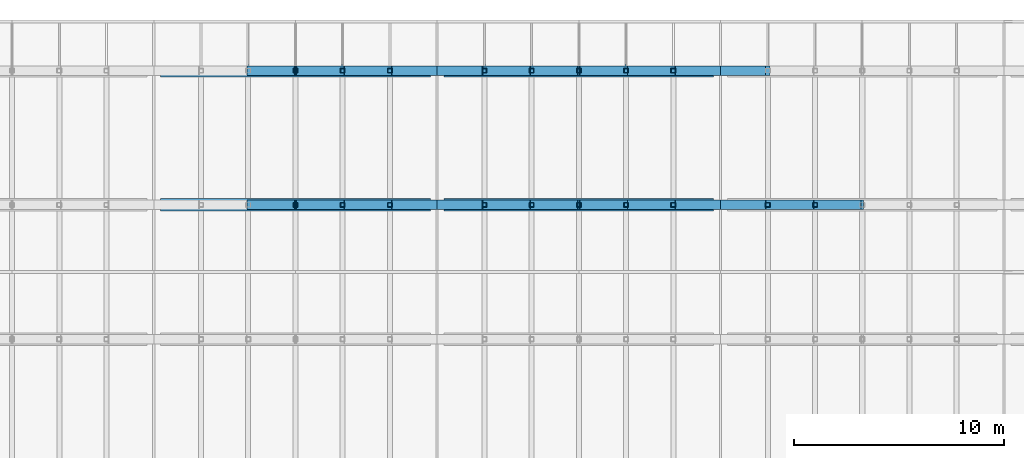
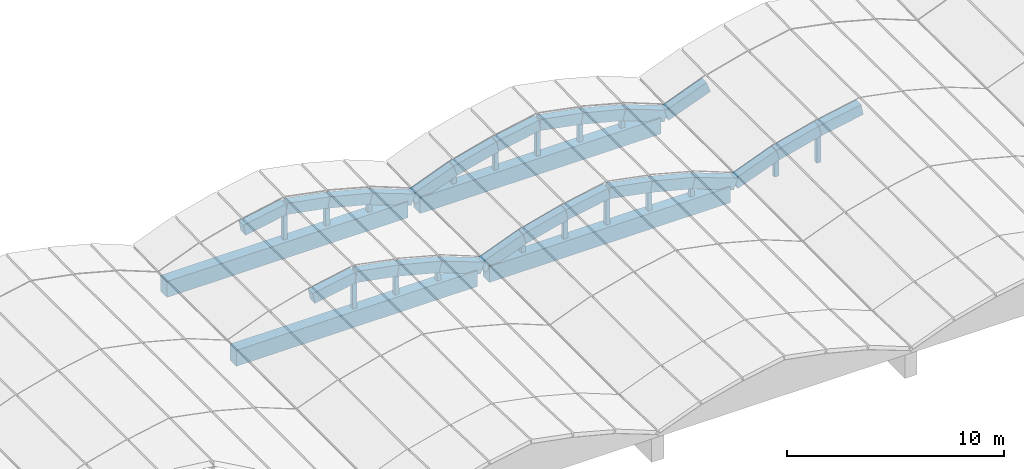
# One storey, part 6 of 15: 28 beams, 18 members.
"""IFC4 building model written with IfcOpenShell, lengths in metres."""

import ifcopenshell
import ifcopenshell.guid

model = None  # the IFC model being written
_history = None  # IfcOwnerHistory: only IFC2X3 demands one
_inside = {}  # id of a spatial element -> (the spatial element, [elements in it])
_under = {}  # id of a project, library or spatial element -> (it, [spatial elements below it])
_declared = {}  # id of a project -> (the project, [libraries it declares])
_typed = {}  # id of a type object -> (the type object, [elements of that type])
_made_of = {}  # id of a material, layer set ... -> (it, [elements and type objects made of it])


def new_model(schema):
    """Start an empty IFC model of exactly this schema.

    Asked for "IFC4X3", IfcOpenShell would pick the latest addendum, in which some entities
    have other attributes; the version numbers below select the first issue.
    IFC2X3 requires an IfcOwnerHistory on every rooted entity: one is made here for all.
    """
    global model, _history
    if schema == "IFC4X3":
        model = ifcopenshell.file(schema_version=(4, 3, 0, 0))
    else:
        model = ifcopenshell.file(schema=schema)
    _inside.clear()
    _under.clear()
    _declared.clear()
    _typed.clear()
    _made_of.clear()
    _history = None
    if model.schema == "IFC2X3":
        org = make("IfcOrganization", Name="unknown")
        user = make(
            "IfcPersonAndOrganization",
            ThePerson=make("IfcPerson", FamilyName="unknown"),
            TheOrganization=org,
        )
        app = make(
            "IfcApplication",
            ApplicationDeveloper=org,
            Version="unknown",
            ApplicationFullName="unknown",
            ApplicationIdentifier="unknown",
        )
        _history = make(
            "IfcOwnerHistory",
            OwningUser=user,
            OwningApplication=app,
            ChangeAction="ADDED",
            CreationDate=0,
        )
    return model


def make(cls, **values):
    """One entity of the class cls with the attributes given. An attribute that is None is left unset."""
    return model.create_entity(
        cls, **{name: value for name, value in values.items() if value is not None}
    )


def rooted(cls, **values):
    """An entity with a GlobalId (a new one), such as an element, a storey or a relation."""
    return make(cls, GlobalId=ifcopenshell.guid.new(), OwnerHistory=_history, **values)


def si_unit(unit_type, name, prefix=None):
    """IfcSIUnit, for example si_unit("LENGTHUNIT", "METRE", prefix="MILLI")."""
    return make("IfcSIUnit", UnitType=unit_type, Prefix=prefix, Name=name)


def assignment(units):
    """IfcUnitAssignment: the units of a project."""
    return None if units is None else make("IfcUnitAssignment", Units=units)


def point(xyz):
    """IfcCartesianPoint."""
    return None if xyz is None else make("IfcCartesianPoint", Coordinates=xyz)


def direction(xyz):
    """IfcDirection."""
    return None if xyz is None else make("IfcDirection", DirectionRatios=xyz)


def frame(location, z_axis=None, x_axis=None):
    """IfcAxis2Placement3D, a coordinate frame: its origin and axes. An axis left out is left unset."""
    return make(
        "IfcAxis2Placement3D",
        Location=point(location),
        Axis=direction(z_axis),
        RefDirection=direction(x_axis),
    )


def frame_2d(location, x_axis=None):
    """IfcAxis2Placement2D, a coordinate frame in the plane: its origin and x axis."""
    return make(
        "IfcAxis2Placement2D", Location=point(location), RefDirection=direction(x_axis)
    )


def origin():
    """The frame at (0, 0, 0) with its axes left unset."""
    return frame((0.0, 0.0, 0.0))


def origin_2d():
    """The frame at (0, 0) in the plane with its x axis left unset."""
    return frame_2d((0.0, 0.0))


def place(relative_to, where):
    """IfcLocalPlacement: puts the frame where relative to a parent placement (None: the world)."""
    return make(
        "IfcLocalPlacement", PlacementRelTo=relative_to, RelativePlacement=where
    )


def context(
    kind, dimensions, precision=None, world=None, true_north=None, identifier=None
):
    """IfcGeometricRepresentationContext, for example the 3D "Model" context."""
    return make(
        "IfcGeometricRepresentationContext",
        ContextIdentifier=identifier,
        ContextType=kind,
        CoordinateSpaceDimension=dimensions,
        Precision=precision,
        WorldCoordinateSystem=world,
        TrueNorth=true_north,
    )


def subcontext(parent, identifier, kind, view, scale=None):
    """IfcGeometricRepresentationSubContext, for example "Body" below "Model"."""
    return make(
        "IfcGeometricRepresentationSubContext",
        ContextIdentifier=identifier,
        ContextType=kind,
        ParentContext=parent,
        TargetScale=scale,
        TargetView=view,
    )


def project(units=None, contexts=None):
    """IfcProject with its units and contexts."""
    return rooted(
        "IfcProject",
        Name="project",
        RepresentationContexts=contexts,
        UnitsInContext=assignment(units),
    )


def spatial(cls, under=None, at=None, **own):
    """A site, building, storey or space (cls), placed at a placement, below another one or the project."""
    s = rooted(cls, ObjectPlacement=at, **own)
    if under is not None:
        _under.setdefault(under.id(), (under, []))[1].append(s)
    return s


def profile(cls, at=None, kind="AREA", **sizes):
    """A parametric profile (cls). Its sizes go by their IFC names, for example OverallWidth=200.0."""
    return make(cls, ProfileType=kind, Position=at, **sizes)


def rectangle(**sizes):
    """IfcRectangleProfileDef."""
    return profile("IfcRectangleProfileDef", **sizes)


def hollow_rectangle(**sizes):
    """IfcRectangleHollowProfileDef."""
    return profile("IfcRectangleHollowProfileDef", **sizes)


def extrude(swept, where, along, depth):
    """IfcExtrudedAreaSolid: the profile swept, set in the frame where, extruded along a direction by depth."""
    return make(
        "IfcExtrudedAreaSolid",
        SweptArea=swept,
        Position=where,
        ExtrudedDirection=direction(along),
        Depth=depth,
    )


def shape(context_of_items, identifier, shape_type, items):
    """IfcShapeRepresentation: the items that make up one representation, for example the "Body"."""
    return make(
        "IfcShapeRepresentation",
        ContextOfItems=context_of_items,
        RepresentationIdentifier=identifier,
        RepresentationType=shape_type,
        Items=items,
    )


def material(Name=None, Category=None):
    """IfcMaterial."""
    return make("IfcMaterial", Name=Name, Category=Category)


def material_profile(
    of_material, cross_section, Name=None, Category=None, Priority=None
):
    """IfcMaterialProfile: a cross section and its material."""
    return make(
        "IfcMaterialProfile",
        Name=Name,
        Material=of_material,
        Profile=cross_section,
        Priority=Priority,
        Category=Category,
    )


def profile_set(profiles, Name=None, composite=None):
    """IfcMaterialProfileSet."""
    return make(
        "IfcMaterialProfileSet",
        Name=Name,
        MaterialProfiles=profiles,
        CompositeProfile=composite,
    )


def made_of(thing, what):
    """Note that an element or type object is made of a material, layer set ...; save() writes the relation."""
    if what is not None:
        _made_of.setdefault(what.id(), (what, []))[1].append(thing)
    return thing


def type_object(cls, material=None, **own):
    """A type object (cls), such as IfcWallType, which elements share."""
    return made_of(rooted(cls, **own), material)


def element(
    cls,
    number,
    at=None,
    inside=None,
    cuts=None,
    type_object=None,
    material=None,
    context=None,
    identifier="Body",
    shape_type=None,
    held_by="IfcProductDefinitionShape",
    body=None,
    shapes=None,
    **own,
):
    """One element of the class cls, such as IfcWall. Its Tag is "e" and its number.

    at: its placement. inside: the storey or other place that contains it. cuts: it is an
    opening in that element (IfcRelVoidsElement). A single representation is given by context,
    identifier, shape_type and body (its items); several are given by shapes. held_by: the class
    of the entity that holds the representations. save() writes the other relations.
    """
    e = rooted(cls, Tag="e%d" % number, ObjectPlacement=at, **own)
    if body is not None:
        shapes = [shape(context, identifier, shape_type, body)]
    if shapes is not None:
        e.Representation = make(held_by, Representations=shapes)
    if inside is not None:
        _inside.setdefault(inside.id(), (inside, []))[1].append(e)
    if cuts is not None:
        rooted(
            "IfcRelVoidsElement", RelatingBuildingElement=cuts, RelatedOpeningElement=e
        )
    if type_object is not None:
        _typed.setdefault(type_object.id(), (type_object, []))[1].append(e)
    return made_of(e, material)


def aggregate(whole, parts):
    """IfcRelAggregates: a whole, such as a stair, and the parts it consists of."""
    return rooted("IfcRelAggregates", RelatingObject=whole, RelatedObjects=parts)


def save(model, path):
    """Write the relations noted so far, then the file.

    IfcRelAggregates (storeys below a building ...), IfcRelContainedInSpatialStructure (elements
    in a storey), IfcRelDefinesByType, IfcRelAssociatesMaterial and IfcRelDeclares: one each for
    every whole, place, type object, material and project.
    """
    for whole, parts in _under.values():
        aggregate(whole, parts)
    for where, things in _inside.values():
        rooted(
            "IfcRelContainedInSpatialStructure",
            RelatedElements=things,
            RelatingStructure=where,
        )
    for kind, things in _typed.values():
        rooted("IfcRelDefinesByType", RelatedObjects=things, RelatingType=kind)
    for what, things in _made_of.values():
        rooted("IfcRelAssociatesMaterial", RelatedObjects=things, RelatingMaterial=what)
    for by, libraries in _declared.values():
        rooted("IfcRelDeclares", RelatingContext=by, RelatedDefinitions=libraries)
    model.write(path)


model = new_model("IFC4")

# Units and contexts
model_context = context("Model", 3, precision=1e-05, world=origin(), true_north=direction((0.0, 1.0)))
body_context = subcontext(model_context, "Body", "Model", "MODEL_VIEW")
ifc_project = project(units=[si_unit("LENGTHUNIT", "METRE"), si_unit("AREAUNIT", "SQUARE_METRE"), si_unit("VOLUMEUNIT", "CUBIC_METRE"), si_unit("PLANEANGLEUNIT", "RADIAN"), si_unit("MASSUNIT", "GRAM", prefix="KILO")], contexts=[model_context])

# Site, building, storey
site_placement = place(None, origin())
site = spatial("IfcSite", under=ifc_project, at=site_placement, CompositionType="ELEMENT")
building_placement = place(site_placement, origin())
building = spatial("IfcBuilding", under=site, at=building_placement, Name="Fikremerkos Civic Library", CompositionType="ELEMENT")
storey_placement = place(building_placement, frame((0.0, 0.0, 27.89990234375)))
storey = spatial("IfcBuildingStorey", under=building, at=storey_placement, Name="RF", CompositionType="ELEMENT", Elevation=27.89990234375)

# Members
ifc_material_1 = material(Name="Steel S355", Category="steel")
ifc_material_profile_1 = material_profile(ifc_material_1, hollow_rectangle(XDim=0.219970703125, YDim=0.219970703125, WallThickness=0.012451171875, at=origin_2d()), Name="SHS 220x220x12.5")
ifc_profile_set_1 = profile_set([ifc_material_profile_1], Name="Steel S355")
member_type = type_object("IfcMemberType", Name="Frame post PST-04 SHS 220x220x12.5", PredefinedType="POST", material=ifc_profile_set_1)
member_1_placement = place(storey_placement, frame((52.949951171875, 24.800048828125, -0.75), z_axis=(0.0, 0.0, 1.0), x_axis=(1.0, 0.0, 0.0)))
element("IfcMember", 1, at=member_1_placement, inside=storey, type_object=member_type, Name="Vault tied-arch web post PST-04 V3 R3.3", PredefinedType="POST", context=body_context, shape_type="SweptSolid", body=[
    extrude(hollow_rectangle(XDim=0.219970703125, YDim=0.219970703125, WallThickness=0.012451171875, at=origin_2d()), origin(), (0.0, 0.0, 1.0), 2.47412109375),
])
member_2_placement = place(storey_placement, frame((55.199951171875, 24.800048828125, -0.75), z_axis=(0.0, 0.0, 1.0), x_axis=(1.0, 0.0, 0.0)))
element("IfcMember", 2, at=member_2_placement, inside=storey, type_object=member_type, Name="Vault tied-arch web post PST-04 V3 R3.4", PredefinedType="POST", context=body_context, shape_type="SweptSolid", body=[
    extrude(hollow_rectangle(XDim=0.219970703125, YDim=0.219970703125, WallThickness=0.012451171875, at=origin_2d()), origin(), (0.0, 0.0, 1.0), 2.05419921875),
])
member_3_placement = place(storey_placement, frame((57.449951171875, 24.800048828125, -0.75), z_axis=(0.0, 0.0, 1.0), x_axis=(1.0, 0.0, 0.0)))
element("IfcMember", 3, at=member_3_placement, inside=storey, type_object=member_type, Name="Vault tied-arch web post PST-04 V3 R3.5", PredefinedType="POST", context=body_context, shape_type="SweptSolid", body=[
    extrude(hollow_rectangle(XDim=0.219970703125, YDim=0.219970703125, WallThickness=0.012451171875, at=origin_2d()), origin(), (0.0, 0.0, 1.0), 1.47607421875),
])
member_4_placement = place(storey_placement, frame((52.949951171875, 31.199951171875, -0.75), z_axis=(0.0, 0.0, 1.0), x_axis=(1.0, 0.0, 0.0)))
element("IfcMember", 4, at=member_4_placement, inside=storey, type_object=member_type, Name="Vault tied-arch web post PST-04 V3 R4.3", PredefinedType="POST", context=body_context, shape_type="SweptSolid", body=[
    extrude(hollow_rectangle(XDim=0.219970703125, YDim=0.219970703125, WallThickness=0.012451171875, at=origin_2d()), origin(), (0.0, 0.0, 1.0), 2.43408203125),
])
member_5_placement = place(storey_placement, frame((55.199951171875, 31.199951171875, -0.75), z_axis=(0.0, 0.0, 1.0), x_axis=(1.0, 0.0, 0.0)))
element("IfcMember", 5, at=member_5_placement, inside=storey, type_object=member_type, Name="Vault tied-arch web post PST-04 V3 R4.4", PredefinedType="POST", context=body_context, shape_type="SweptSolid", body=[
    extrude(hollow_rectangle(XDim=0.219970703125, YDim=0.219970703125, WallThickness=0.012451171875, at=origin_2d()), origin(), (0.0, 0.0, 1.0), 2.01416015625),
])
member_6_placement = place(storey_placement, frame((57.449951171875, 31.199951171875, -0.75), z_axis=(0.0, 0.0, 1.0), x_axis=(1.0, 0.0, 0.0)))
element("IfcMember", 6, at=member_6_placement, inside=storey, type_object=member_type, Name="Vault tied-arch web post PST-04 V3 R4.5", PredefinedType="POST", context=body_context, shape_type="SweptSolid", body=[
    extrude(hollow_rectangle(XDim=0.219970703125, YDim=0.219970703125, WallThickness=0.012451171875, at=origin_2d()), origin(), (0.0, 0.0, 1.0), 1.43603515625),
])
member_7_placement = place(storey_placement, frame((61.949951171875, 24.800048828125, -0.75), z_axis=(0.0, 0.0, 1.0), x_axis=(1.0, 0.0, 0.0)))
element("IfcMember", 7, at=member_7_placement, inside=storey, type_object=member_type, Name="Vault tied-arch web post PST-04 V4 R3.1", PredefinedType="POST", context=body_context, shape_type="SweptSolid", body=[
    extrude(hollow_rectangle(XDim=0.219970703125, YDim=0.219970703125, WallThickness=0.012451171875, at=origin_2d()), origin(), (0.0, 0.0, 1.0), 1.47607421875),
])
member_8_placement = place(storey_placement, frame((64.199951171875, 24.800048828125, -0.75), z_axis=(0.0, 0.0, 1.0), x_axis=(1.0, 0.0, 0.0)))
element("IfcMember", 8, at=member_8_placement, inside=storey, type_object=member_type, Name="Vault tied-arch web post PST-04 V4 R3.2", PredefinedType="POST", context=body_context, shape_type="SweptSolid", body=[
    extrude(hollow_rectangle(XDim=0.219970703125, YDim=0.219970703125, WallThickness=0.012451171875, at=origin_2d()), origin(), (0.0, 0.0, 1.0), 2.05419921875),
])
member_9_placement = place(storey_placement, frame((66.449951171875, 24.800048828125, -0.75), z_axis=(0.0, 0.0, 1.0), x_axis=(1.0, 0.0, 0.0)))
element("IfcMember", 9, at=member_9_placement, inside=storey, type_object=member_type, Name="Vault tied-arch web post PST-04 V4 R3.3", PredefinedType="POST", context=body_context, shape_type="SweptSolid", body=[
    extrude(hollow_rectangle(XDim=0.219970703125, YDim=0.219970703125, WallThickness=0.012451171875, at=origin_2d()), origin(), (0.0, 0.0, 1.0), 2.47412109375),
])
member_10_placement = place(storey_placement, frame((68.699951171875, 24.800048828125, -0.75), z_axis=(0.0, 0.0, 1.0), x_axis=(1.0, 0.0, 0.0)))
element("IfcMember", 10, at=member_10_placement, inside=storey, type_object=member_type, Name="Vault tied-arch web post PST-04 V4 R3.4", PredefinedType="POST", context=body_context, shape_type="SweptSolid", body=[
    extrude(hollow_rectangle(XDim=0.219970703125, YDim=0.219970703125, WallThickness=0.012451171875, at=origin_2d()), origin(), (0.0, 0.0, 1.0), 2.05419921875),
])
member_11_placement = place(storey_placement, frame((70.949951171875, 24.800048828125, -0.75), z_axis=(0.0, 0.0, 1.0), x_axis=(1.0, 0.0, 0.0)))
element("IfcMember", 11, at=member_11_placement, inside=storey, type_object=member_type, Name="Vault tied-arch web post PST-04 V4 R3.5", PredefinedType="POST", context=body_context, shape_type="SweptSolid", body=[
    extrude(hollow_rectangle(XDim=0.219970703125, YDim=0.219970703125, WallThickness=0.012451171875, at=origin_2d()), origin(), (0.0, 0.0, 1.0), 1.47607421875),
])
member_12_placement = place(storey_placement, frame((61.949951171875, 31.199951171875, -0.75), z_axis=(0.0, 0.0, 1.0), x_axis=(1.0, 0.0, 0.0)))
element("IfcMember", 12, at=member_12_placement, inside=storey, type_object=member_type, Name="Vault tied-arch web post PST-04 V4 R4.1", PredefinedType="POST", context=body_context, shape_type="SweptSolid", body=[
    extrude(hollow_rectangle(XDim=0.219970703125, YDim=0.219970703125, WallThickness=0.012451171875, at=origin_2d()), origin(), (0.0, 0.0, 1.0), 1.43603515625),
])
member_13_placement = place(storey_placement, frame((64.199951171875, 31.199951171875, -0.75), z_axis=(0.0, 0.0, 1.0), x_axis=(1.0, 0.0, 0.0)))
element("IfcMember", 13, at=member_13_placement, inside=storey, type_object=member_type, Name="Vault tied-arch web post PST-04 V4 R4.2", PredefinedType="POST", context=body_context, shape_type="SweptSolid", body=[
    extrude(hollow_rectangle(XDim=0.219970703125, YDim=0.219970703125, WallThickness=0.012451171875, at=origin_2d()), origin(), (0.0, 0.0, 1.0), 2.01416015625),
])
member_14_placement = place(storey_placement, frame((66.449951171875, 31.199951171875, -0.75), z_axis=(0.0, 0.0, 1.0), x_axis=(1.0, 0.0, 0.0)))
element("IfcMember", 14, at=member_14_placement, inside=storey, type_object=member_type, Name="Vault tied-arch web post PST-04 V4 R4.3", PredefinedType="POST", context=body_context, shape_type="SweptSolid", body=[
    extrude(hollow_rectangle(XDim=0.219970703125, YDim=0.219970703125, WallThickness=0.012451171875, at=origin_2d()), origin(), (0.0, 0.0, 1.0), 2.43408203125),
])
member_15_placement = place(storey_placement, frame((68.699951171875, 31.199951171875, -0.75), z_axis=(0.0, 0.0, 1.0), x_axis=(1.0, 0.0, 0.0)))
element("IfcMember", 15, at=member_15_placement, inside=storey, type_object=member_type, Name="Vault tied-arch web post PST-04 V4 R4.4", PredefinedType="POST", context=body_context, shape_type="SweptSolid", body=[
    extrude(hollow_rectangle(XDim=0.219970703125, YDim=0.219970703125, WallThickness=0.012451171875, at=origin_2d()), origin(), (0.0, 0.0, 1.0), 2.01416015625),
])
member_16_placement = place(storey_placement, frame((70.949951171875, 31.199951171875, -0.75), z_axis=(0.0, 0.0, 1.0), x_axis=(1.0, 0.0, 0.0)))
element("IfcMember", 16, at=member_16_placement, inside=storey, type_object=member_type, Name="Vault tied-arch web post PST-04 V4 R4.5", PredefinedType="POST", context=body_context, shape_type="SweptSolid", body=[
    extrude(hollow_rectangle(XDim=0.219970703125, YDim=0.219970703125, WallThickness=0.012451171875, at=origin_2d()), origin(), (0.0, 0.0, 1.0), 1.43603515625),
])
member_17_placement = place(storey_placement, frame((75.449951171875, 24.800048828125, -0.75), z_axis=(0.0, 0.0, 1.0), x_axis=(1.0, 0.0, 0.0)))
element("IfcMember", 17, at=member_17_placement, inside=storey, type_object=member_type, Name="Vault tied-arch web post PST-04 V5 R3.1", PredefinedType="POST", context=body_context, shape_type="SweptSolid", body=[
    extrude(hollow_rectangle(XDim=0.219970703125, YDim=0.219970703125, WallThickness=0.012451171875, at=origin_2d()), origin(), (0.0, 0.0, 1.0), 1.47607421875),
])
member_18_placement = place(storey_placement, frame((77.699951171875, 24.800048828125, -0.75), z_axis=(0.0, 0.0, 1.0), x_axis=(1.0, 0.0, 0.0)))
element("IfcMember", 18, at=member_18_placement, inside=storey, type_object=member_type, Name="Vault tied-arch web post PST-04 V5 R3.2", PredefinedType="POST", context=body_context, shape_type="SweptSolid", body=[
    extrude(hollow_rectangle(XDim=0.219970703125, YDim=0.219970703125, WallThickness=0.012451171875, at=origin_2d()), origin(), (0.0, 0.0, 1.0), 2.05419921875),
])

# Beams
ifc_material_2 = material(Name="Concrete C45/55", Category="concrete")
ifc_material_profile_2 = material_profile(ifc_material_2, rectangle(XDim=0.449951171875, YDim=0.6201171875, at=origin_2d()), Name="RC 450x620")
ifc_profile_set_2 = profile_set([ifc_material_profile_2], Name="Concrete C45/55")
beam_type_1 = type_object("IfcBeamType", Name="Primary girder vault arch rib BM-10 RC 450x620", PredefinedType="BEAM", material=ifc_profile_set_2)
for number, where, z_axis, x_axis, name in (
    (19, (50.699951171875, 24.800048828125, 1.114013671875), (0.983007163041, 0.0, 0.183567201345), (0.0, 1.0, 0.0), "Concrete vault arch rib BM-10 V3 R3.3"),
    (20, (52.949951171875, 24.800048828125, 1.5341796875), (0.983007163041, 0.0, -0.183567201345), (0.0, 1.0, 0.0), "Concrete vault arch rib BM-10 V3 R3.4"),
):
    element("IfcBeam", number, at=place(storey_placement, frame(where, z_axis=z_axis, x_axis=x_axis)), inside=storey, type_object=beam_type_1, Name=name, PredefinedType="BEAM", context=body_context, shape_type="SweptSolid", body=[
        extrude(rectangle(XDim=0.449951171875, YDim=0.6201171875, at=origin_2d()), origin(), (0.0, 0.0, 1.0), 2.288818359375),
    ])
beam_1_placement = place(storey_placement, frame((55.199951171875, 24.800048828125, 1.114013671875), z_axis=(0.968564592705, 0.0, -0.248762195197), x_axis=(0.0, 1.0, 0.0)))
element("IfcBeam", 21, at=beam_1_placement, inside=storey, type_object=beam_type_1, Name="Concrete vault arch rib BM-10 V3 R3.5", PredefinedType="BEAM", context=body_context, shape_type="SweptSolid", body=[
    extrude(rectangle(XDim=0.449951171875, YDim=0.6201171875, at=origin_2d()), origin(), (0.0, 0.0, 1.0), 2.322998046875),
])
beam_2_placement = place(storey_placement, frame((57.449951171875, 24.800048828125, 0.5361328125), z_axis=(0.936028311828, 0.0, -0.351924707084), x_axis=(0.0, 1.0, 0.0)))
element("IfcBeam", 22, at=beam_2_placement, inside=storey, type_object=beam_type_1, Name="Concrete vault arch rib BM-10 V3 R3.6", PredefinedType="BEAM", context=body_context, shape_type="SweptSolid", body=[
    extrude(rectangle(XDim=0.449951171875, YDim=0.6201171875, at=origin_2d()), origin(), (0.0, 0.0, 1.0), 2.40380859375),
])
for number, where, z_axis, x_axis, name in (
    (23, (50.699951171875, 31.199951171875, 1.07421875), (0.983026405145, 0.0, 0.183464129432), (0.0, 1.0, 0.0), "Concrete vault arch rib BM-10 V3 R4.3"),
    (24, (52.949951171875, 31.199951171875, 1.494140625), (0.983026405145, 0.0, -0.183464129432), (0.0, 1.0, 0.0), "Concrete vault arch rib BM-10 V3 R4.4"),
):
    element("IfcBeam", number, at=place(storey_placement, frame(where, z_axis=z_axis, x_axis=x_axis)), inside=storey, type_object=beam_type_1, Name=name, PredefinedType="BEAM", context=body_context, shape_type="SweptSolid", body=[
        extrude(rectangle(XDim=0.449951171875, YDim=0.6201171875, at=origin_2d()), origin(), (0.0, 0.0, 1.0), 2.288818359375),
    ])
beam_3_placement = place(storey_placement, frame((55.199951171875, 31.199951171875, 1.07421875), z_axis=(0.968539266286, 0.0, -0.248860783698), x_axis=(0.0, 1.0, 0.0)))
element("IfcBeam", 25, at=beam_3_placement, inside=storey, type_object=beam_type_1, Name="Concrete vault arch rib BM-10 V3 R4.5", PredefinedType="BEAM", context=body_context, shape_type="SweptSolid", body=[
    extrude(rectangle(XDim=0.449951171875, YDim=0.6201171875, at=origin_2d()), origin(), (0.0, 0.0, 1.0), 2.322998046875),
])
for number, where, z_axis, x_axis, name in (
    (26, (57.449951171875, 31.199951171875, 0.49609375), (0.936028311828, 0.0, -0.351924707084), (0.0, 1.0, 0.0), "Concrete vault arch rib BM-10 V3 R4.6"),
    (27, (59.699951171875, 24.800048828125, -0.309814453125), (0.936028311828, 0.0, 0.351924707084), (0.0, 1.0, 0.0), "Concrete vault arch rib BM-10 V4 R3.1"),
):
    element("IfcBeam", number, at=place(storey_placement, frame(where, z_axis=z_axis, x_axis=x_axis)), inside=storey, type_object=beam_type_1, Name=name, PredefinedType="BEAM", context=body_context, shape_type="SweptSolid", body=[
        extrude(rectangle(XDim=0.449951171875, YDim=0.6201171875, at=origin_2d()), origin(), (0.0, 0.0, 1.0), 2.40380859375),
    ])
beam_4_placement = place(storey_placement, frame((61.949951171875, 24.800048828125, 0.5361328125), z_axis=(0.968564592705, 0.0, 0.248762195197), x_axis=(0.0, 1.0, 0.0)))
element("IfcBeam", 28, at=beam_4_placement, inside=storey, type_object=beam_type_1, Name="Concrete vault arch rib BM-10 V4 R3.2", PredefinedType="BEAM", context=body_context, shape_type="SweptSolid", body=[
    extrude(rectangle(XDim=0.449951171875, YDim=0.6201171875, at=origin_2d()), origin(), (0.0, 0.0, 1.0), 2.322998046875),
])
for number, where, z_axis, x_axis, name in (
    (29, (64.199951171875, 24.800048828125, 1.114013671875), (0.983007163041, 0.0, 0.183567201345), (0.0, 1.0, 0.0), "Concrete vault arch rib BM-10 V4 R3.3"),
    (30, (66.449951171875, 24.800048828125, 1.5341796875), (0.983007163041, 0.0, -0.183567201345), (0.0, 1.0, 0.0), "Concrete vault arch rib BM-10 V4 R3.4"),
):
    element("IfcBeam", number, at=place(storey_placement, frame(where, z_axis=z_axis, x_axis=x_axis)), inside=storey, type_object=beam_type_1, Name=name, PredefinedType="BEAM", context=body_context, shape_type="SweptSolid", body=[
        extrude(rectangle(XDim=0.449951171875, YDim=0.6201171875, at=origin_2d()), origin(), (0.0, 0.0, 1.0), 2.288818359375),
    ])
beam_5_placement = place(storey_placement, frame((68.699951171875, 24.800048828125, 1.114013671875), z_axis=(0.968564592705, 0.0, -0.248762195197), x_axis=(0.0, 1.0, 0.0)))
element("IfcBeam", 31, at=beam_5_placement, inside=storey, type_object=beam_type_1, Name="Concrete vault arch rib BM-10 V4 R3.5", PredefinedType="BEAM", context=body_context, shape_type="SweptSolid", body=[
    extrude(rectangle(XDim=0.449951171875, YDim=0.6201171875, at=origin_2d()), origin(), (0.0, 0.0, 1.0), 2.322998046875),
])
for number, where, z_axis, x_axis, name in (
    (32, (70.949951171875, 24.800048828125, 0.5361328125), (0.936028311828, 0.0, -0.351924707084), (0.0, 1.0, 0.0), "Concrete vault arch rib BM-10 V4 R3.6"),
    (33, (59.699951171875, 31.199951171875, -0.349853515625), (0.936028311828, 0.0, 0.351924707084), (0.0, 1.0, 0.0), "Concrete vault arch rib BM-10 V4 R4.1"),
):
    element("IfcBeam", number, at=place(storey_placement, frame(where, z_axis=z_axis, x_axis=x_axis)), inside=storey, type_object=beam_type_1, Name=name, PredefinedType="BEAM", context=body_context, shape_type="SweptSolid", body=[
        extrude(rectangle(XDim=0.449951171875, YDim=0.6201171875, at=origin_2d()), origin(), (0.0, 0.0, 1.0), 2.40380859375),
    ])
beam_6_placement = place(storey_placement, frame((61.949951171875, 31.199951171875, 0.49609375), z_axis=(0.968539266286, 0.0, 0.248860783698), x_axis=(0.0, 1.0, 0.0)))
element("IfcBeam", 34, at=beam_6_placement, inside=storey, type_object=beam_type_1, Name="Concrete vault arch rib BM-10 V4 R4.2", PredefinedType="BEAM", context=body_context, shape_type="SweptSolid", body=[
    extrude(rectangle(XDim=0.449951171875, YDim=0.6201171875, at=origin_2d()), origin(), (0.0, 0.0, 1.0), 2.322998046875),
])
for number, where, z_axis, x_axis, name in (
    (35, (64.199951171875, 31.199951171875, 1.07421875), (0.983026405145, 0.0, 0.183464129432), (0.0, 1.0, 0.0), "Concrete vault arch rib BM-10 V4 R4.3"),
    (36, (66.449951171875, 31.199951171875, 1.494140625), (0.983026405145, 0.0, -0.183464129432), (0.0, 1.0, 0.0), "Concrete vault arch rib BM-10 V4 R4.4"),
):
    element("IfcBeam", number, at=place(storey_placement, frame(where, z_axis=z_axis, x_axis=x_axis)), inside=storey, type_object=beam_type_1, Name=name, PredefinedType="BEAM", context=body_context, shape_type="SweptSolid", body=[
        extrude(rectangle(XDim=0.449951171875, YDim=0.6201171875, at=origin_2d()), origin(), (0.0, 0.0, 1.0), 2.288818359375),
    ])
beam_7_placement = place(storey_placement, frame((68.699951171875, 31.199951171875, 1.07421875), z_axis=(0.968539266286, 0.0, -0.248860783698), x_axis=(0.0, 1.0, 0.0)))
element("IfcBeam", 37, at=beam_7_placement, inside=storey, type_object=beam_type_1, Name="Concrete vault arch rib BM-10 V4 R4.5", PredefinedType="BEAM", context=body_context, shape_type="SweptSolid", body=[
    extrude(rectangle(XDim=0.449951171875, YDim=0.6201171875, at=origin_2d()), origin(), (0.0, 0.0, 1.0), 2.322998046875),
])
for number, where, z_axis, x_axis, name in (
    (38, (70.949951171875, 31.199951171875, 0.49609375), (0.936028311828, 0.0, -0.351924707084), (0.0, 1.0, 0.0), "Concrete vault arch rib BM-10 V4 R4.6"),
    (39, (73.199951171875, 24.800048828125, -0.309814453125), (0.936028311828, 0.0, 0.351924707084), (0.0, 1.0, 0.0), "Concrete vault arch rib BM-10 V5 R3.1"),
):
    element("IfcBeam", number, at=place(storey_placement, frame(where, z_axis=z_axis, x_axis=x_axis)), inside=storey, type_object=beam_type_1, Name=name, PredefinedType="BEAM", context=body_context, shape_type="SweptSolid", body=[
        extrude(rectangle(XDim=0.449951171875, YDim=0.6201171875, at=origin_2d()), origin(), (0.0, 0.0, 1.0), 2.40380859375),
    ])
beam_8_placement = place(storey_placement, frame((75.449951171875, 24.800048828125, 0.5361328125), z_axis=(0.968564592705, 0.0, 0.248762195197), x_axis=(0.0, 1.0, 0.0)))
element("IfcBeam", 40, at=beam_8_placement, inside=storey, type_object=beam_type_1, Name="Concrete vault arch rib BM-10 V5 R3.2", PredefinedType="BEAM", context=body_context, shape_type="SweptSolid", body=[
    extrude(rectangle(XDim=0.449951171875, YDim=0.6201171875, at=origin_2d()), origin(), (0.0, 0.0, 1.0), 2.322998046875),
])
beam_9_placement = place(storey_placement, frame((77.699951171875, 24.800048828125, 1.114013671875), z_axis=(0.983007163041, 0.0, 0.183567201345), x_axis=(0.0, 1.0, 0.0)))
element("IfcBeam", 41, at=beam_9_placement, inside=storey, type_object=beam_type_1, Name="Concrete vault arch rib BM-10 V5 R3.3", PredefinedType="BEAM", context=body_context, shape_type="SweptSolid", body=[
    extrude(rectangle(XDim=0.449951171875, YDim=0.6201171875, at=origin_2d()), origin(), (0.0, 0.0, 1.0), 2.288818359375),
])
beam_10_placement = place(storey_placement, frame((73.199951171875, 31.199951171875, -0.349853515625), z_axis=(0.936028311828, 0.0, 0.351924707084), x_axis=(0.0, 1.0, 0.0)))
element("IfcBeam", 42, at=beam_10_placement, inside=storey, type_object=beam_type_1, Name="Concrete vault arch rib BM-10 V5 R4.1", PredefinedType="BEAM", context=body_context, shape_type="SweptSolid", body=[
    extrude(rectangle(XDim=0.449951171875, YDim=0.6201171875, at=origin_2d()), origin(), (0.0, 0.0, 1.0), 2.40380859375),
])
ifc_material_profile_3 = material_profile(ifc_material_2, rectangle(XDim=0.60009765625, YDim=0.89990234375, at=origin_2d()), Name="RC 600x900")
ifc_profile_set_3 = profile_set([ifc_material_profile_3], Name="Concrete C45/55")
beam_type_2 = type_object("IfcBeamType", Name="Primary girder vault tie ring BM-09 RC 600x900", PredefinedType="BEAM", material=ifc_profile_set_3)
for number, where, z_axis, x_axis, name in (
    (43, (46.52490234375, 24.800048828125, -0.75), (1.0, 0.0, 0.0), (0.0, 1.0, 0.0), "Vault springing tie ring beam BM-09 V3 #3"),
    (44, (46.52490234375, 31.199951171875, -0.75), (1.0, 0.0, 0.0), (0.0, 1.0, 0.0), "Vault springing tie ring beam BM-09 V3 #4"),
    (45, (60.02490234375, 24.800048828125, -0.75), (1.0, 0.0, 0.0), (0.0, 1.0, 0.0), "Vault springing tie ring beam BM-09 V4 #3"),
    (46, (60.02490234375, 31.199951171875, -0.75), (1.0, 0.0, 0.0), (0.0, 1.0, 0.0), "Vault springing tie ring beam BM-09 V4 #4"),
):
    element("IfcBeam", number, at=place(storey_placement, frame(where, z_axis=z_axis, x_axis=x_axis)), inside=storey, type_object=beam_type_2, Name=name, PredefinedType="BEAM", context=body_context, shape_type="SweptSolid", body=[
        extrude(rectangle(XDim=0.60009765625, YDim=0.89990234375, at=origin_2d()), origin(), (0.0, 0.0, 1.0), 12.85009765625),
    ])

save(model, "model.ifc")
